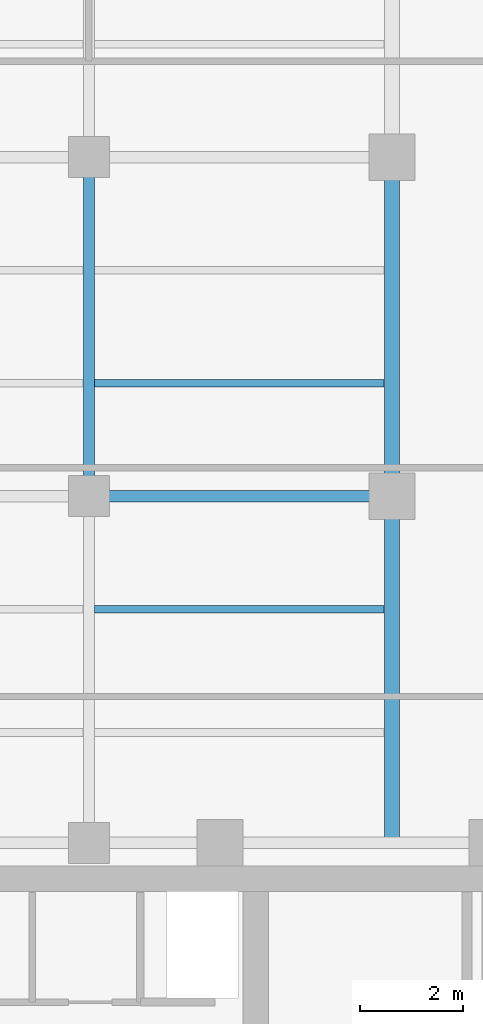
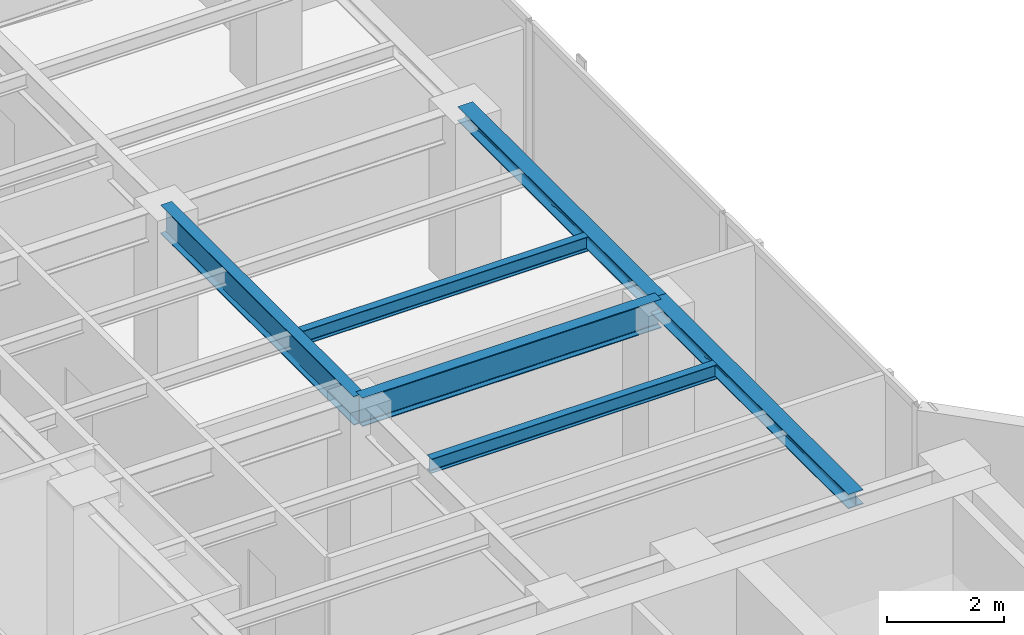
# One storey, part 9 of 24: 6 beams.
"""IFC4 building model written with IfcOpenShell, lengths in metres."""

from ifc_helpers import new_model, si_unit, direction, frame, origin, origin_2d, place, context, subcontext, project, spatial, i_section, extrude, material, material_profile, profile_set, type_object, element, save


model = new_model("IFC4")

# Units and contexts
model_context = context("Model", 3, precision=1e-05, world=origin(), true_north=direction((0.0, 1.0)))
body_context = subcontext(model_context, "Body", "Model", "MODEL_VIEW")
ifc_project = project(units=[si_unit("LENGTHUNIT", "METRE"), si_unit("AREAUNIT", "SQUARE_METRE"), si_unit("VOLUMEUNIT", "CUBIC_METRE"), si_unit("PLANEANGLEUNIT", "RADIAN"), si_unit("MASSUNIT", "GRAM", prefix="KILO")], contexts=[model_context])

# Site, building, storey
site_placement = place(None, origin())
site = spatial("IfcSite", under=ifc_project, at=site_placement, CompositionType="ELEMENT")
building_placement = place(site_placement, origin())
building = spatial("IfcBuilding", under=site, at=building_placement, Name="Kolvaren Waterfront Exchange", CompositionType="ELEMENT")
storey_placement = place(building_placement, frame((0.0, 0.0, 316.0)))
storey = spatial("IfcBuildingStorey", under=building, at=storey_placement, Name="L81", CompositionType="ELEMENT", Elevation=316.0)

# Beams
ifc_material = material(Name="Steel S355", Category="steel")
ifc_material_profile_1 = material_profile(ifc_material, i_section(OverallWidth=0.300048828125, OverallDepth=0.300048828125, WebThickness=0.010986328125, FlangeThickness=0.01904296875, FilletRadius=0.027099609375, at=origin_2d()), Name="HEB300")
ifc_profile_set_1 = profile_set([ifc_material_profile_1], Name="Steel S355")
beam_type_1 = type_object("IfcBeamType", Name="STR-BM-HEB300", PredefinedType="SPANDREL", material=ifc_profile_set_1)
beam_1_placement = place(storey_placement, frame((18.800048828125, 24.449951171875, 3.409912109375), z_axis=(0.0, 1.0, 0.0), x_axis=(-1.0, 0.0, 0.0)))
element("IfcBeam", 1, at=beam_1_placement, inside=storey, type_object=beam_type_1, Name="L81 north-arm edge beam 1", PredefinedType="SPANDREL", context=body_context, shape_type="SweptSolid", body=[
    extrude(i_section(OverallWidth=0.300048828125, OverallDepth=0.300048828125, WebThickness=0.010986328125, FlangeThickness=0.01904296875, FilletRadius=0.027099609375, at=origin_2d()), origin(), (0.0, 0.0, 1.0), 6.75),
])
beam_2_placement = place(storey_placement, frame((18.800048828125, 31.199951171875, 3.409912109375), z_axis=(0.0, 1.0, 0.0), x_axis=(-1.0, 0.0, 0.0)))
element("IfcBeam", 2, at=beam_2_placement, inside=storey, type_object=beam_type_1, Name="L81 north-arm edge beam 2", PredefinedType="SPANDREL", context=body_context, shape_type="SweptSolid", body=[
    extrude(i_section(OverallWidth=0.300048828125, OverallDepth=0.300048828125, WebThickness=0.010986328125, FlangeThickness=0.01904296875, FilletRadius=0.027099609375, at=origin_2d()), origin(), (0.0, 0.0, 1.0), 6.60009765625),
])
ifc_material_profile_2 = material_profile(ifc_material, i_section(OverallWidth=0.14990234375, OverallDepth=0.300048828125, WebThickness=0.007080078125, FlangeThickness=0.0107421875, FilletRadius=0.014892578125, at=origin_2d()), Name="IPE300")
ifc_profile_set_2 = profile_set([ifc_material_profile_2], Name="Steel S355")
beam_type_2 = type_object("IfcBeamType", Name="STR-BM-IPE300", PredefinedType="JOIST", material=ifc_profile_set_2)
for number, where, z_axis, x_axis, name in (
    (3, (13.011962890625, 29.0, 3.409912109375), (1.0, 0.0, 0.0), (0.0, 1.0, 0.0), "L81 north-arm composite joist 2B"),
    (4, (13.011962890625, 33.39990234375, 3.409912109375), (1.0, 0.0, 0.0), (0.0, 1.0, 0.0), "L81 north-arm composite joist 3B"),
):
    element("IfcBeam", number, at=place(storey_placement, frame(where, z_axis=z_axis, x_axis=x_axis)), inside=storey, type_object=beam_type_2, Name=name, PredefinedType="JOIST", context=body_context, shape_type="SweptSolid", body=[
        extrude(i_section(OverallWidth=0.14990234375, OverallDepth=0.300048828125, WebThickness=0.007080078125, FlangeThickness=0.0107421875, FilletRadius=0.014892578125, at=origin_2d()), origin(), (0.0, 0.0, 1.0), 5.635986328125),
    ])
ifc_material_profile_3 = material_profile(ifc_material, i_section(OverallWidth=0.219970703125, OverallDepth=0.60009765625, WebThickness=0.011962890625, FlangeThickness=0.01904296875, FilletRadius=0.02392578125, at=origin_2d()), Name="IPE600")
ifc_profile_set_3 = profile_set([ifc_material_profile_3], Name="Steel S355")
beam_type_3 = type_object("IfcBeamType", Name="STR-BM-IPE600", PredefinedType="BEAM", material=ifc_profile_set_3)
beam_3_placement = place(storey_placement, frame((12.89990234375, 31.199951171875, 3.260009765625), z_axis=(1.0, 0.0, 0.0), x_axis=(0.0, 1.0, 0.0)))
element("IfcBeam", 5, at=beam_3_placement, inside=storey, type_object=beam_type_3, Name="L81 north-arm girder 2B", PredefinedType="BEAM", context=body_context, shape_type="SweptSolid", body=[
    extrude(i_section(OverallWidth=0.219970703125, OverallDepth=0.60009765625, WebThickness=0.011962890625, FlangeThickness=0.01904296875, FilletRadius=0.02392578125, at=origin_2d()), origin(), (0.0, 0.0, 1.0), 5.900146484375),
])
beam_4_placement = place(storey_placement, frame((12.89990234375, 31.199951171875, 3.260009765625), z_axis=(0.0, 1.0, 0.0), x_axis=(-1.0, 0.0, 0.0)))
element("IfcBeam", 6, at=beam_4_placement, inside=storey, type_object=beam_type_3, Name="L81 north-arm edge beam 2", PredefinedType="BEAM", context=body_context, shape_type="SweptSolid", body=[
    extrude(i_section(OverallWidth=0.219970703125, OverallDepth=0.60009765625, WebThickness=0.011962890625, FlangeThickness=0.01904296875, FilletRadius=0.02392578125, at=origin_2d()), origin(), (0.0, 0.0, 1.0), 6.60009765625),
])

save(model, "model.ifc")
